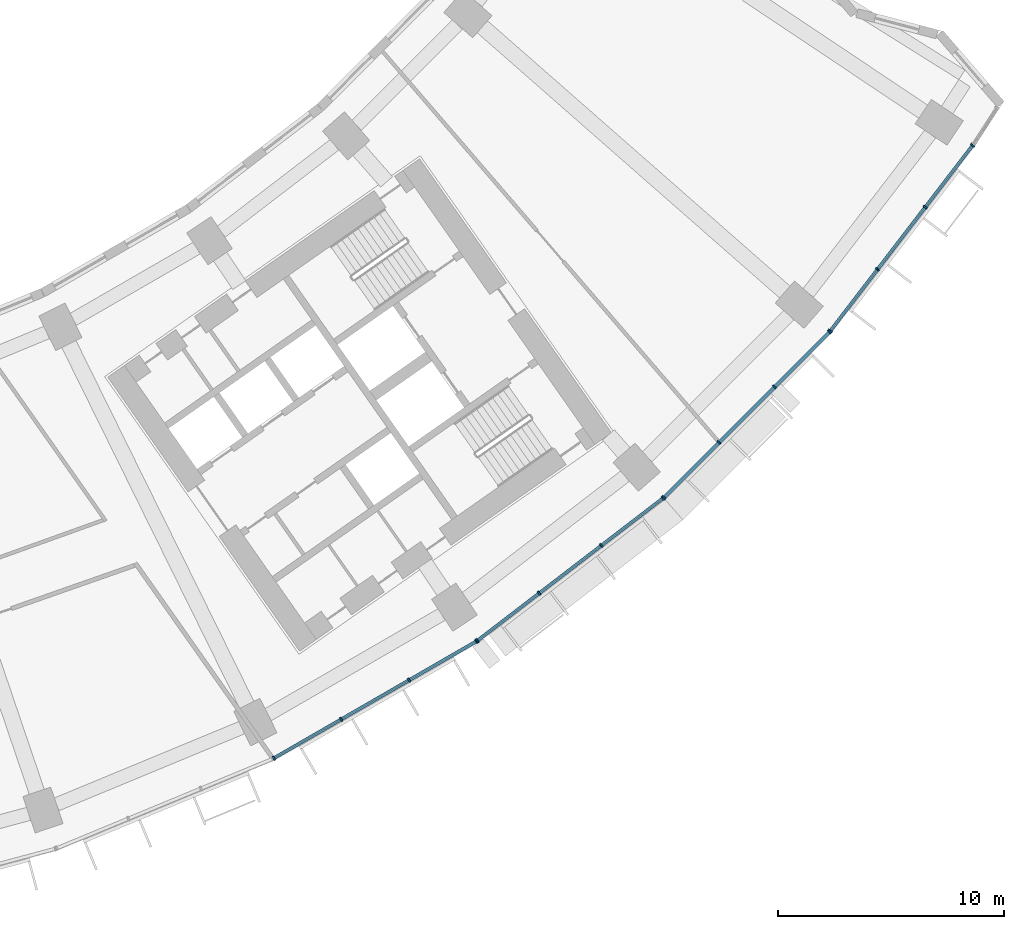
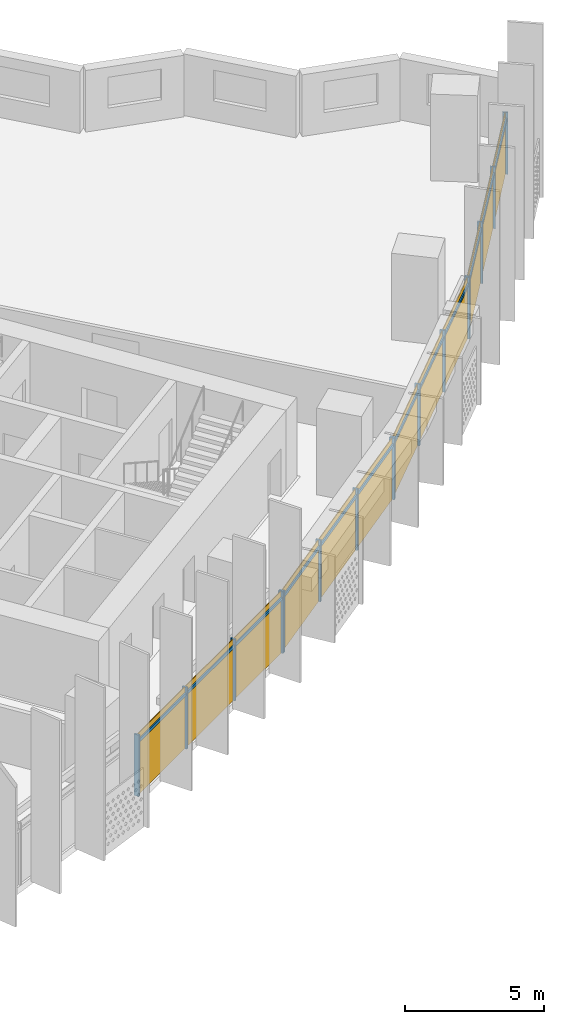
# One storey, part 22 of 31: 28 members, 4 curtain walls.
"""IFC4 building model written with IfcOpenShell, lengths in metres."""

import ifcopenshell
import ifcopenshell.guid

model = None  # the IFC model being written
_history = None  # IfcOwnerHistory: only IFC2X3 demands one
_inside = {}  # id of a spatial element -> (the spatial element, [elements in it])
_under = {}  # id of a project, library or spatial element -> (it, [spatial elements below it])
_declared = {}  # id of a project -> (the project, [libraries it declares])
_typed = {}  # id of a type object -> (the type object, [elements of that type])
_made_of = {}  # id of a material, layer set ... -> (it, [elements and type objects made of it])


def new_model(schema):
    """Start an empty IFC model of exactly this schema.

    Asked for "IFC4X3", IfcOpenShell would pick the latest addendum, in which some entities
    have other attributes; the version numbers below select the first issue.
    IFC2X3 requires an IfcOwnerHistory on every rooted entity: one is made here for all.
    """
    global model, _history
    if schema == "IFC4X3":
        model = ifcopenshell.file(schema_version=(4, 3, 0, 0))
    else:
        model = ifcopenshell.file(schema=schema)
    _inside.clear()
    _under.clear()
    _declared.clear()
    _typed.clear()
    _made_of.clear()
    _history = None
    if model.schema == "IFC2X3":
        org = make("IfcOrganization", Name="unknown")
        user = make(
            "IfcPersonAndOrganization",
            ThePerson=make("IfcPerson", FamilyName="unknown"),
            TheOrganization=org,
        )
        app = make(
            "IfcApplication",
            ApplicationDeveloper=org,
            Version="unknown",
            ApplicationFullName="unknown",
            ApplicationIdentifier="unknown",
        )
        _history = make(
            "IfcOwnerHistory",
            OwningUser=user,
            OwningApplication=app,
            ChangeAction="ADDED",
            CreationDate=0,
        )
    return model


def make(cls, **values):
    """One entity of the class cls with the attributes given. An attribute that is None is left unset."""
    return model.create_entity(
        cls, **{name: value for name, value in values.items() if value is not None}
    )


def rooted(cls, **values):
    """An entity with a GlobalId (a new one), such as an element, a storey or a relation."""
    return make(cls, GlobalId=ifcopenshell.guid.new(), OwnerHistory=_history, **values)


def si_unit(unit_type, name, prefix=None):
    """IfcSIUnit, for example si_unit("LENGTHUNIT", "METRE", prefix="MILLI")."""
    return make("IfcSIUnit", UnitType=unit_type, Prefix=prefix, Name=name)


def assignment(units):
    """IfcUnitAssignment: the units of a project."""
    return None if units is None else make("IfcUnitAssignment", Units=units)


def point(xyz):
    """IfcCartesianPoint."""
    return None if xyz is None else make("IfcCartesianPoint", Coordinates=xyz)


def direction(xyz):
    """IfcDirection."""
    return None if xyz is None else make("IfcDirection", DirectionRatios=xyz)


def frame(location, z_axis=None, x_axis=None):
    """IfcAxis2Placement3D, a coordinate frame: its origin and axes. An axis left out is left unset."""
    return make(
        "IfcAxis2Placement3D",
        Location=point(location),
        Axis=direction(z_axis),
        RefDirection=direction(x_axis),
    )


def frame_2d(location, x_axis=None):
    """IfcAxis2Placement2D, a coordinate frame in the plane: its origin and x axis."""
    return make(
        "IfcAxis2Placement2D", Location=point(location), RefDirection=direction(x_axis)
    )


def origin():
    """The frame at (0, 0, 0) with its axes left unset."""
    return frame((0.0, 0.0, 0.0))


def origin_2d():
    """The frame at (0, 0) in the plane with its x axis left unset."""
    return frame_2d((0.0, 0.0))


def place(relative_to, where):
    """IfcLocalPlacement: puts the frame where relative to a parent placement (None: the world)."""
    return make(
        "IfcLocalPlacement", PlacementRelTo=relative_to, RelativePlacement=where
    )


def context(
    kind, dimensions, precision=None, world=None, true_north=None, identifier=None
):
    """IfcGeometricRepresentationContext, for example the 3D "Model" context."""
    return make(
        "IfcGeometricRepresentationContext",
        ContextIdentifier=identifier,
        ContextType=kind,
        CoordinateSpaceDimension=dimensions,
        Precision=precision,
        WorldCoordinateSystem=world,
        TrueNorth=true_north,
    )


def subcontext(parent, identifier, kind, view, scale=None):
    """IfcGeometricRepresentationSubContext, for example "Body" below "Model"."""
    return make(
        "IfcGeometricRepresentationSubContext",
        ContextIdentifier=identifier,
        ContextType=kind,
        ParentContext=parent,
        TargetScale=scale,
        TargetView=view,
    )


def project(units=None, contexts=None):
    """IfcProject with its units and contexts."""
    return rooted(
        "IfcProject",
        Name="project",
        RepresentationContexts=contexts,
        UnitsInContext=assignment(units),
    )


def spatial(cls, under=None, at=None, **own):
    """A site, building, storey or space (cls), placed at a placement, below another one or the project."""
    s = rooted(cls, ObjectPlacement=at, **own)
    if under is not None:
        _under.setdefault(under.id(), (under, []))[1].append(s)
    return s


def profile(cls, at=None, kind="AREA", **sizes):
    """A parametric profile (cls). Its sizes go by their IFC names, for example OverallWidth=200.0."""
    return make(cls, ProfileType=kind, Position=at, **sizes)


def rectangle(**sizes):
    """IfcRectangleProfileDef."""
    return profile("IfcRectangleProfileDef", **sizes)


def extrude(swept, where, along, depth):
    """IfcExtrudedAreaSolid: the profile swept, set in the frame where, extruded along a direction by depth."""
    return make(
        "IfcExtrudedAreaSolid",
        SweptArea=swept,
        Position=where,
        ExtrudedDirection=direction(along),
        Depth=depth,
    )


def shape(context_of_items, identifier, shape_type, items):
    """IfcShapeRepresentation: the items that make up one representation, for example the "Body"."""
    return make(
        "IfcShapeRepresentation",
        ContextOfItems=context_of_items,
        RepresentationIdentifier=identifier,
        RepresentationType=shape_type,
        Items=items,
    )


def material(Name=None, Category=None):
    """IfcMaterial."""
    return make("IfcMaterial", Name=Name, Category=Category)


def material_profile(
    of_material, cross_section, Name=None, Category=None, Priority=None
):
    """IfcMaterialProfile: a cross section and its material."""
    return make(
        "IfcMaterialProfile",
        Name=Name,
        Material=of_material,
        Profile=cross_section,
        Priority=Priority,
        Category=Category,
    )


def profile_set(profiles, Name=None, composite=None):
    """IfcMaterialProfileSet."""
    return make(
        "IfcMaterialProfileSet",
        Name=Name,
        MaterialProfiles=profiles,
        CompositeProfile=composite,
    )


def made_of(thing, what):
    """Note that an element or type object is made of a material, layer set ...; save() writes the relation."""
    if what is not None:
        _made_of.setdefault(what.id(), (what, []))[1].append(thing)
    return thing


def type_object(cls, material=None, **own):
    """A type object (cls), such as IfcWallType, which elements share."""
    return made_of(rooted(cls, **own), material)


def element(
    cls,
    number,
    at=None,
    inside=None,
    cuts=None,
    type_object=None,
    material=None,
    context=None,
    identifier="Body",
    shape_type=None,
    held_by="IfcProductDefinitionShape",
    body=None,
    shapes=None,
    **own,
):
    """One element of the class cls, such as IfcWall. Its Tag is "e" and its number.

    at: its placement. inside: the storey or other place that contains it. cuts: it is an
    opening in that element (IfcRelVoidsElement). A single representation is given by context,
    identifier, shape_type and body (its items); several are given by shapes. held_by: the class
    of the entity that holds the representations. save() writes the other relations.
    """
    e = rooted(cls, Tag="e%d" % number, ObjectPlacement=at, **own)
    if body is not None:
        shapes = [shape(context, identifier, shape_type, body)]
    if shapes is not None:
        e.Representation = make(held_by, Representations=shapes)
    if inside is not None:
        _inside.setdefault(inside.id(), (inside, []))[1].append(e)
    if cuts is not None:
        rooted(
            "IfcRelVoidsElement", RelatingBuildingElement=cuts, RelatedOpeningElement=e
        )
    if type_object is not None:
        _typed.setdefault(type_object.id(), (type_object, []))[1].append(e)
    return made_of(e, material)


def aggregate(whole, parts):
    """IfcRelAggregates: a whole, such as a stair, and the parts it consists of."""
    return rooted("IfcRelAggregates", RelatingObject=whole, RelatedObjects=parts)


def save(model, path):
    """Write the relations noted so far, then the file.

    IfcRelAggregates (storeys below a building ...), IfcRelContainedInSpatialStructure (elements
    in a storey), IfcRelDefinesByType, IfcRelAssociatesMaterial and IfcRelDeclares: one each for
    every whole, place, type object, material and project.
    """
    for whole, parts in _under.values():
        aggregate(whole, parts)
    for where, things in _inside.values():
        rooted(
            "IfcRelContainedInSpatialStructure",
            RelatedElements=things,
            RelatingStructure=where,
        )
    for kind, things in _typed.values():
        rooted("IfcRelDefinesByType", RelatedObjects=things, RelatingType=kind)
    for what, things in _made_of.values():
        rooted("IfcRelAssociatesMaterial", RelatedObjects=things, RelatingMaterial=what)
    for by, libraries in _declared.values():
        rooted("IfcRelDeclares", RelatingContext=by, RelatedDefinitions=libraries)
    model.write(path)


model = new_model("IFC4")

# Units and contexts
model_context = context("Model", 3, precision=1e-05, world=origin(), true_north=direction((0.0, 1.0)))
body_context = subcontext(model_context, "Body", "Model", "MODEL_VIEW")
ifc_project = project(units=[si_unit("LENGTHUNIT", "METRE"), si_unit("AREAUNIT", "SQUARE_METRE"), si_unit("VOLUMEUNIT", "CUBIC_METRE"), si_unit("PLANEANGLEUNIT", "RADIAN"), si_unit("MASSUNIT", "GRAM", prefix="KILO")], contexts=[model_context])

# Member
ifc_material = material(Name="Aluminium 6063-T6 anodised", Category="aluminium")
ifc_material_profile_1 = material_profile(ifc_material, rectangle(XDim=0.199951171875, YDim=0.070068359375, at=origin_2d()))
ifc_profile_set_1 = profile_set([ifc_material_profile_1], Name="Aluminium 6063-T6 anodised")
member_type_1 = type_object("IfcMemberType", Name="Mullion 70 x 200 aluminium", PredefinedType="MULLION", material=ifc_profile_set_1)
site_placement = place(None, origin())
building_placement = place(site_placement, origin())
storey_placement = place(building_placement, frame((0.0, 0.0, 55.699951171875)))
member_1_placement = place(storey_placement, frame((35.20849609375, -71.331787109375, 0.0), z_axis=(0.0, 0.0, 1.0), x_axis=(-0.5, 0.866025403784, 0.0)))
member_1 = element("IfcMember", 1, at=member_1_placement, type_object=member_type_1, Name="e-cw1-L10-out12/M00", PredefinedType="MULLION", context=body_context, shape_type="SweptSolid", body=[
    extrude(rectangle(XDim=0.199951171875, YDim=0.070068359375, at=origin_2d()), origin(), (0.0, 0.0, 1.0), 2.699951171875),
])

member_2_placement = place(storey_placement, frame((38.18603515625, -69.61279296875, 0.0), z_axis=(0.0, 0.0, 1.0), x_axis=(-0.5, 0.866025403784, 0.0)))
member_2 = element("IfcMember", 2, at=member_2_placement, type_object=member_type_1, Name="e-cw1-L10-out12/M01", PredefinedType="MULLION", context=body_context, shape_type="SweptSolid", body=[
    extrude(rectangle(XDim=0.199951171875, YDim=0.070068359375, at=origin_2d()), origin(), (0.0, 0.0, 1.0), 2.699951171875),
])

member_3_placement = place(storey_placement, frame((41.193603515625, -67.87646484375, 0.0), z_axis=(0.0, 0.0, 1.0), x_axis=(-0.5, 0.866025403784, 0.0)))
member_3 = element("IfcMember", 3, at=member_3_placement, type_object=member_type_1, Name="e-cw1-L10-out12/M02", PredefinedType="MULLION", context=body_context, shape_type="SweptSolid", body=[
    extrude(rectangle(XDim=0.199951171875, YDim=0.070068359375, at=origin_2d()), origin(), (0.0, 0.0, 1.0), 2.699951171875),
])

member_4_placement = place(storey_placement, frame((44.1708984375, -66.157470703125, 0.0), z_axis=(0.0, 0.0, 1.0), x_axis=(-0.5, 0.866025403784, 0.0)))
member_4 = element("IfcMember", 4, at=member_4_placement, type_object=member_type_1, Name="e-cw1-L10-out12/M03", PredefinedType="MULLION", context=body_context, shape_type="SweptSolid", body=[
    extrude(rectangle(XDim=0.199951171875, YDim=0.070068359375, at=origin_2d()), origin(), (0.0, 0.0, 1.0), 2.699951171875),
])

member_5_placement = place(storey_placement, frame((44.218017578125, -66.1259765625, 0.0), z_axis=(0.0, 0.0, 1.0), x_axis=(-0.608761429009, 0.793353340291, 0.0)))
member_5 = element("IfcMember", 5, at=member_5_placement, type_object=member_type_1, Name="e-cw1-L10-out13/M00", PredefinedType="MULLION", context=body_context, shape_type="SweptSolid", body=[
    extrude(rectangle(XDim=0.199951171875, YDim=0.070068359375, at=origin_2d()), origin(), (0.0, 0.0, 1.0), 2.699951171875),
])

member_6_placement = place(storey_placement, frame((46.945556640625, -64.032958984375, 0.0), z_axis=(0.0, 0.0, 1.0), x_axis=(-0.608761429009, 0.793353340291, 0.0)))
member_6 = element("IfcMember", 6, at=member_6_placement, type_object=member_type_1, Name="e-cw1-L10-out13/M01", PredefinedType="MULLION", context=body_context, shape_type="SweptSolid", body=[
    extrude(rectangle(XDim=0.199951171875, YDim=0.070068359375, at=origin_2d()), origin(), (0.0, 0.0, 1.0), 2.699951171875),
])

member_7_placement = place(storey_placement, frame((49.70068359375, -61.9189453125, 0.0), z_axis=(0.0, 0.0, 1.0), x_axis=(-0.608761429009, 0.793353340291, 0.0)))
member_7 = element("IfcMember", 7, at=member_7_placement, type_object=member_type_1, Name="e-cw1-L10-out13/M02", PredefinedType="MULLION", context=body_context, shape_type="SweptSolid", body=[
    extrude(rectangle(XDim=0.199951171875, YDim=0.070068359375, at=origin_2d()), origin(), (0.0, 0.0, 1.0), 2.699951171875),
])

member_8_placement = place(storey_placement, frame((52.42822265625, -59.825927734375, 0.0), z_axis=(0.0, 0.0, 1.0), x_axis=(-0.608761429009, 0.793353340291, 0.0)))
member_8 = element("IfcMember", 8, at=member_8_placement, type_object=member_type_1, Name="e-cw1-L10-out13/M03", PredefinedType="MULLION", context=body_context, shape_type="SweptSolid", body=[
    extrude(rectangle(XDim=0.199951171875, YDim=0.070068359375, at=origin_2d()), origin(), (0.0, 0.0, 1.0), 2.699951171875),
])

member_9_placement = place(storey_placement, frame((52.470947265625, -59.78857421875, 0.0), z_axis=(0.0, 0.0, 1.0), x_axis=(-0.707106781187, 0.707106781187, 0.0)))
member_9 = element("IfcMember", 9, at=member_9_placement, type_object=member_type_1, Name="e-cw1-L10-out14/M00", PredefinedType="MULLION", context=body_context, shape_type="SweptSolid", body=[
    extrude(rectangle(XDim=0.199951171875, YDim=0.070068359375, at=origin_2d()), origin(), (0.0, 0.0, 1.0), 2.699951171875),
])

member_10_placement = place(storey_placement, frame((54.90185546875, -57.357666015625, 0.0), z_axis=(0.0, 0.0, 1.0), x_axis=(-0.707106781187, 0.707106781187, 0.0)))
member_10 = element("IfcMember", 10, at=member_10_placement, type_object=member_type_1, Name="e-cw1-L10-out14/M01", PredefinedType="MULLION", context=body_context, shape_type="SweptSolid", body=[
    extrude(rectangle(XDim=0.199951171875, YDim=0.070068359375, at=origin_2d()), origin(), (0.0, 0.0, 1.0), 2.699951171875),
])

member_11_placement = place(storey_placement, frame((57.357666015625, -54.90185546875, 0.0), z_axis=(0.0, 0.0, 1.0), x_axis=(-0.707106781187, 0.707106781187, 0.0)))
member_11 = element("IfcMember", 11, at=member_11_placement, type_object=member_type_1, Name="e-cw1-L10-out14/M02", PredefinedType="MULLION", context=body_context, shape_type="SweptSolid", body=[
    extrude(rectangle(XDim=0.199951171875, YDim=0.070068359375, at=origin_2d()), origin(), (0.0, 0.0, 1.0), 2.699951171875),
])

member_12_placement = place(storey_placement, frame((59.78857421875, -52.470947265625, 0.0), z_axis=(0.0, 0.0, 1.0), x_axis=(-0.707106781187, 0.707106781187, 0.0)))
member_12 = element("IfcMember", 12, at=member_12_placement, type_object=member_type_1, Name="e-cw1-L10-out14/M03", PredefinedType="MULLION", context=body_context, shape_type="SweptSolid", body=[
    extrude(rectangle(XDim=0.199951171875, YDim=0.070068359375, at=origin_2d()), origin(), (0.0, 0.0, 1.0), 2.699951171875),
])

member_13_placement = place(storey_placement, frame((59.825927734375, -52.42822265625, 0.0), z_axis=(0.0, 0.0, 1.0), x_axis=(-0.793353340291, 0.608761429009, 0.0)))
member_13 = element("IfcMember", 13, at=member_13_placement, type_object=member_type_1, Name="e-cw1-L10-out15/M00", PredefinedType="MULLION", context=body_context, shape_type="SweptSolid", body=[
    extrude(rectangle(XDim=0.199951171875, YDim=0.070068359375, at=origin_2d()), origin(), (0.0, 0.0, 1.0), 2.699951171875),
])

member_14_placement = place(storey_placement, frame((61.9189453125, -49.70068359375, 0.0), z_axis=(0.0, 0.0, 1.0), x_axis=(-0.793353340291, 0.608761429009, 0.0)))
member_14 = element("IfcMember", 14, at=member_14_placement, type_object=member_type_1, Name="e-cw1-L10-out15/M01", PredefinedType="MULLION", context=body_context, shape_type="SweptSolid", body=[
    extrude(rectangle(XDim=0.199951171875, YDim=0.070068359375, at=origin_2d()), origin(), (0.0, 0.0, 1.0), 2.699951171875),
])

member_15_placement = place(storey_placement, frame((64.032958984375, -46.945556640625, 0.0), z_axis=(0.0, 0.0, 1.0), x_axis=(-0.793353340291, 0.608761429009, 0.0)))
member_15 = element("IfcMember", 15, at=member_15_placement, type_object=member_type_1, Name="e-cw1-L10-out15/M02", PredefinedType="MULLION", context=body_context, shape_type="SweptSolid", body=[
    extrude(rectangle(XDim=0.199951171875, YDim=0.070068359375, at=origin_2d()), origin(), (0.0, 0.0, 1.0), 2.699951171875),
])

member_16_placement = place(storey_placement, frame((66.1259765625, -44.218017578125, 0.0), z_axis=(0.0, 0.0, 1.0), x_axis=(-0.793353340291, 0.608761429009, 0.0)))
member_16 = element("IfcMember", 16, at=member_16_placement, type_object=member_type_1, Name="e-cw1-L10-out15/M03", PredefinedType="MULLION", context=body_context, shape_type="SweptSolid", body=[
    extrude(rectangle(XDim=0.199951171875, YDim=0.070068359375, at=origin_2d()), origin(), (0.0, 0.0, 1.0), 2.699951171875),
])

ifc_material_profile_2 = material_profile(ifc_material, rectangle(XDim=0.139892578125, YDim=0.1201171875, at=origin_2d()))
ifc_profile_set_2 = profile_set([ifc_material_profile_2], Name="Aluminium 6063-T6 anodised")
member_type_2 = type_object("IfcMemberType", Name="Transom 120 x 140 aluminium", PredefinedType="USERDEFINED", material=ifc_profile_set_2)
member_17_placement = place(storey_placement, frame((35.239013671875, -71.314208984375, 2.400146484375), z_axis=(0.866026229868, 0.499998569178, 0.0), x_axis=(-0.499998569178, 0.866026229868, 0.0)))
member_17 = element("IfcMember", 17, at=member_17_placement, type_object=member_type_2, Name="e-cw1-L10-out12/T00", ObjectType="TRANSOM", PredefinedType="USERDEFINED", context=body_context, shape_type="SweptSolid", body=[
    extrude(rectangle(XDim=0.139892578125, YDim=0.1201171875, at=origin_2d()), origin(), (0.0, 0.0, 1.0), 3.36767578125),
])

member_18_placement = place(storey_placement, frame((38.21630859375, -69.595458984375, 2.400146484375), z_axis=(0.866000398227, 0.500043308395, 0.0), x_axis=(-0.500043308395, 0.866000398227, 0.0)))
member_18 = element("IfcMember", 18, at=member_18_placement, type_object=member_type_2, Name="e-cw1-L10-out12/T01", ObjectType="TRANSOM", PredefinedType="USERDEFINED", context=body_context, shape_type="SweptSolid", body=[
    extrude(rectangle(XDim=0.139892578125, YDim=0.1201171875, at=origin_2d()), origin(), (0.0, 0.0, 1.0), 3.403076171875),
])

member_19_placement = place(storey_placement, frame((41.223876953125, -67.85888671875, 2.400146484375), z_axis=(0.866044351828, 0.49996717959, 0.0), x_axis=(-0.49996717959, 0.866044351828, 0.0)))
member_19 = element("IfcMember", 19, at=member_19_placement, type_object=member_type_2, Name="e-cw1-L10-out12/T02", ObjectType="TRANSOM", PredefinedType="USERDEFINED", context=body_context, shape_type="SweptSolid", body=[
    extrude(rectangle(XDim=0.139892578125, YDim=0.1201171875, at=origin_2d()), origin(), (0.0, 0.0, 1.0), 3.367919921875),
])

member_20_placement = place(storey_placement, frame((44.245849609375, -66.1044921875, 2.400146484375), z_axis=(0.793375276742, 0.608732839803, 0.0), x_axis=(-0.608732839803, 0.793375276742, 0.0)))
member_20 = element("IfcMember", 20, at=member_20_placement, type_object=member_type_2, Name="e-cw1-L10-out13/T00", ObjectType="TRANSOM", PredefinedType="USERDEFINED", context=body_context, shape_type="SweptSolid", body=[
    extrude(rectangle(XDim=0.139892578125, YDim=0.1201171875, at=origin_2d()), origin(), (0.0, 0.0, 1.0), 3.36767578125),
])

member_21_placement = place(storey_placement, frame((46.973388671875, -64.01171875, 2.400146484375), z_axis=(0.793356868815, 0.60875683052, 0.0), x_axis=(-0.60875683052, 0.793356868815, 0.0)))
member_21 = element("IfcMember", 21, at=member_21_placement, type_object=member_type_2, Name="e-cw1-L10-out13/T01", ObjectType="TRANSOM", PredefinedType="USERDEFINED", context=body_context, shape_type="SweptSolid", body=[
    extrude(rectangle(XDim=0.139892578125, YDim=0.1201171875, at=origin_2d()), origin(), (0.0, 0.0, 1.0), 3.40283203125),
])

member_22_placement = place(storey_placement, frame((49.728515625, -61.8974609375, 2.400146484375), z_axis=(0.793375276742, 0.608732839803, 0.0), x_axis=(-0.608732839803, 0.793375276742, 0.0)))
member_22 = element("IfcMember", 22, at=member_22_placement, type_object=member_type_2, Name="e-cw1-L10-out13/T02", ObjectType="TRANSOM", PredefinedType="USERDEFINED", context=body_context, shape_type="SweptSolid", body=[
    extrude(rectangle(XDim=0.139892578125, YDim=0.1201171875, at=origin_2d()), origin(), (0.0, 0.0, 1.0), 3.36767578125),
])

member_23_placement = place(storey_placement, frame((52.49560546875, -59.763916015625, 2.400146484375), z_axis=(0.707106781187, 0.707106781187, 0.0), x_axis=(-0.707106781187, 0.707106781187, 0.0)))
member_23 = element("IfcMember", 23, at=member_23_placement, type_object=member_type_2, Name="e-cw1-L10-out14/T00", ObjectType="TRANSOM", PredefinedType="USERDEFINED", context=body_context, shape_type="SweptSolid", body=[
    extrude(rectangle(XDim=0.139892578125, YDim=0.1201171875, at=origin_2d()), origin(), (0.0, 0.0, 1.0), 3.3681640625),
])

member_24_placement = place(storey_placement, frame((54.9267578125, -57.332763671875, 2.400146484375), z_axis=(0.707106781187, 0.707106781187, 0.0), x_axis=(-0.707106781187, 0.707106781187, 0.0)))
member_24 = element("IfcMember", 24, at=member_24_placement, type_object=member_type_2, Name="e-cw1-L10-out14/T01", ObjectType="TRANSOM", PredefinedType="USERDEFINED", context=body_context, shape_type="SweptSolid", body=[
    extrude(rectangle(XDim=0.139892578125, YDim=0.1201171875, at=origin_2d()), origin(), (0.0, 0.0, 1.0), 3.402587890625),
])

member_25_placement = place(storey_placement, frame((57.38232421875, -54.877197265625, 2.400146484375), z_axis=(0.707106781187, 0.707106781187, 0.0), x_axis=(-0.707106781187, 0.707106781187, 0.0)))
member_25 = element("IfcMember", 25, at=member_25_placement, type_object=member_type_2, Name="e-cw1-L10-out14/T02", ObjectType="TRANSOM", PredefinedType="USERDEFINED", context=body_context, shape_type="SweptSolid", body=[
    extrude(rectangle(XDim=0.139892578125, YDim=0.1201171875, at=origin_2d()), origin(), (0.0, 0.0, 1.0), 3.3681640625),
])

member_26_placement = place(storey_placement, frame((59.847412109375, -52.400390625, 2.400146484375), z_axis=(0.608732839803, 0.793375276742, 0.0), x_axis=(-0.793375276742, 0.608732839803, 0.0)))
member_26 = element("IfcMember", 26, at=member_26_placement, type_object=member_type_2, Name="e-cw1-L10-out15/T00", ObjectType="TRANSOM", PredefinedType="USERDEFINED", context=body_context, shape_type="SweptSolid", body=[
    extrude(rectangle(XDim=0.139892578125, YDim=0.1201171875, at=origin_2d()), origin(), (0.0, 0.0, 1.0), 3.36767578125),
])

member_27_placement = place(storey_placement, frame((61.940185546875, -49.673095703125, 2.400146484375), z_axis=(0.60875683052, 0.793356868815, 0.0), x_axis=(-0.793356868815, 0.60875683052, 0.0)))
member_27 = element("IfcMember", 27, at=member_27_placement, type_object=member_type_2, Name="e-cw1-L10-out15/T01", ObjectType="TRANSOM", PredefinedType="USERDEFINED", context=body_context, shape_type="SweptSolid", body=[
    extrude(rectangle(XDim=0.139892578125, YDim=0.1201171875, at=origin_2d()), origin(), (0.0, 0.0, 1.0), 3.40283203125),
])

member_28_placement = place(storey_placement, frame((64.054443359375, -46.917724609375, 2.400146484375), z_axis=(0.608732839803, 0.793375276742, 0.0), x_axis=(-0.793375276742, 0.608732839803, 0.0)))
member_28 = element("IfcMember", 28, at=member_28_placement, type_object=member_type_2, Name="e-cw1-L10-out15/T02", ObjectType="TRANSOM", PredefinedType="USERDEFINED", context=body_context, shape_type="SweptSolid", body=[
    extrude(rectangle(XDim=0.139892578125, YDim=0.1201171875, at=origin_2d()), origin(), (0.0, 0.0, 1.0), 3.36767578125),
])

# Site, building, storey
site = spatial("IfcSite", under=ifc_project, at=site_placement, CompositionType="ELEMENT")
building = spatial("IfcBuilding", under=site, at=building_placement, Name="Qamariyya Broadcast Tower", CompositionType="ELEMENT")
storey = spatial("IfcBuildingStorey", under=building, at=storey_placement, Name="L10", CompositionType="ELEMENT", Elevation=55.699951171875)

# Curtain wall
curtain_wall_type = type_object("IfcCurtainWallType", Name="Unitised curtain wall, anodised aluminium", PredefinedType="NOTDEFINED", material=ifc_material)
curtain_wall_1_placement = place(storey_placement, origin())
curtain_wall_1 = element("IfcCurtainWall", 29, at=curtain_wall_1_placement, inside=storey, type_object=curtain_wall_type, Name="e-cw1-L10-out12", PredefinedType="NOTDEFINED", context=body_context, shape_type="SweptSolid", body=[
    extrude(rectangle(XDim=3.367919921875, YDim=0.031982421875, at=origin_2d()), frame((36.697265625, -70.472412109375, 0.0), x_axis=(0.86602247392, 0.500005074639, 0.0)), (0.0, 0.0, 1.0), 2.340087890625),
    extrude(rectangle(XDim=3.367919921875, YDim=0.031982421875, at=origin_2d()), frame((36.697265625, -70.472412109375, 2.4599609375), x_axis=(0.86602247392, 0.500005074639, 0.0)), (0.0, 0.0, 1.0), 0.239990234375),
    extrude(rectangle(XDim=3.40283203125, YDim=0.031982421875, at=origin_2d()), frame((39.689697265625, -68.74462890625, 0.0), x_axis=(0.86602247392, 0.500005074639, 0.0)), (0.0, 0.0, 1.0), 2.340087890625),
    extrude(rectangle(XDim=3.40283203125, YDim=0.031982421875, at=origin_2d()), frame((39.689697265625, -68.74462890625, 2.4599609375), x_axis=(0.86602247392, 0.500005074639, 0.0)), (0.0, 0.0, 1.0), 0.239990234375),
    extrude(rectangle(XDim=3.367919921875, YDim=0.031982421875, at=origin_2d()), frame((42.68212890625, -67.016845703125, 0.0), x_axis=(0.86602247392, 0.500005074639, 0.0)), (0.0, 0.0, 1.0), 2.340087890625),
    extrude(rectangle(XDim=3.367919921875, YDim=0.031982421875, at=origin_2d()), frame((42.68212890625, -67.016845703125, 2.4599609375), x_axis=(0.86602247392, 0.500005074639, 0.0)), (0.0, 0.0, 1.0), 0.239990234375),
])

aggregate(curtain_wall_1, [member_1, member_2, member_3, member_4, member_17, member_18, member_19])

curtain_wall_2_placement = place(storey_placement, origin())
curtain_wall_2 = element("IfcCurtainWall", 30, at=curtain_wall_2_placement, inside=storey, type_object=curtain_wall_type, Name="e-cw1-L10-out13", PredefinedType="NOTDEFINED", context=body_context, shape_type="SweptSolid", body=[
    extrude(rectangle(XDim=3.367919921875, YDim=0.031982421875, at=origin_2d()), frame((45.581787109375, -65.07958984375, 0.0), x_axis=(0.79335775203, 0.608755679475, 0.0)), (0.0, 0.0, 1.0), 2.340087890625),
    extrude(rectangle(XDim=3.367919921875, YDim=0.031982421875, at=origin_2d()), frame((45.581787109375, -65.07958984375, 2.4599609375), x_axis=(0.79335775203, 0.608755679475, 0.0)), (0.0, 0.0, 1.0), 0.239990234375),
    extrude(rectangle(XDim=3.40283203125, YDim=0.031982421875, at=origin_2d()), frame((48.3232421875, -62.97607421875, 0.0), x_axis=(0.79335775203, 0.608755679475, 0.0)), (0.0, 0.0, 1.0), 2.340087890625),
    extrude(rectangle(XDim=3.40283203125, YDim=0.031982421875, at=origin_2d()), frame((48.3232421875, -62.97607421875, 2.4599609375), x_axis=(0.79335775203, 0.608755679475, 0.0)), (0.0, 0.0, 1.0), 0.239990234375),
    extrude(rectangle(XDim=3.367919921875, YDim=0.031982421875, at=origin_2d()), frame((51.064453125, -60.872314453125, 0.0), x_axis=(0.79335775203, 0.608755679475, 0.0)), (0.0, 0.0, 1.0), 2.340087890625),
    extrude(rectangle(XDim=3.367919921875, YDim=0.031982421875, at=origin_2d()), frame((51.064453125, -60.872314453125, 2.4599609375), x_axis=(0.79335775203, 0.608755679475, 0.0)), (0.0, 0.0, 1.0), 0.239990234375),
])

aggregate(curtain_wall_2, [member_5, member_6, member_7, member_8, member_20, member_21, member_22])

curtain_wall_3_placement = place(storey_placement, origin())
curtain_wall_3 = element("IfcCurtainWall", 31, at=curtain_wall_3_placement, inside=storey, type_object=curtain_wall_type, Name="e-cw1-L10-out14", PredefinedType="NOTDEFINED", context=body_context, shape_type="SweptSolid", body=[
    extrude(rectangle(XDim=3.367919921875, YDim=0.031982421875, at=origin_2d()), frame((53.6865234375, -58.572998046875, 0.0), x_axis=(0.707106781187, 0.707106781187, 0.0)), (0.0, 0.0, 1.0), 2.340087890625),
    extrude(rectangle(XDim=3.367919921875, YDim=0.031982421875, at=origin_2d()), frame((53.6865234375, -58.572998046875, 2.4599609375), x_axis=(0.707106781187, 0.707106781187, 0.0)), (0.0, 0.0, 1.0), 0.239990234375),
    extrude(rectangle(XDim=3.40283203125, YDim=0.031982421875, at=origin_2d()), frame((56.1298828125, -56.1298828125, 0.0), x_axis=(0.707106781187, 0.707106781187, 0.0)), (0.0, 0.0, 1.0), 2.340087890625),
    extrude(rectangle(XDim=3.40283203125, YDim=0.031982421875, at=origin_2d()), frame((56.1298828125, -56.1298828125, 2.4599609375), x_axis=(0.707106781187, 0.707106781187, 0.0)), (0.0, 0.0, 1.0), 0.239990234375),
    extrude(rectangle(XDim=3.367919921875, YDim=0.031982421875, at=origin_2d()), frame((58.572998046875, -53.6865234375, 0.0), x_axis=(0.707106781187, 0.707106781187, 0.0)), (0.0, 0.0, 1.0), 2.340087890625),
    extrude(rectangle(XDim=3.367919921875, YDim=0.031982421875, at=origin_2d()), frame((58.572998046875, -53.6865234375, 2.4599609375), x_axis=(0.707106781187, 0.707106781187, 0.0)), (0.0, 0.0, 1.0), 0.239990234375),
])

aggregate(curtain_wall_3, [member_9, member_10, member_11, member_12, member_23, member_24, member_25])

curtain_wall_4_placement = place(storey_placement, origin())
curtain_wall_4 = element("IfcCurtainWall", 32, at=curtain_wall_4_placement, inside=storey, type_object=curtain_wall_type, Name="e-cw1-L10-out15", PredefinedType="NOTDEFINED", context=body_context, shape_type="SweptSolid", body=[
    extrude(rectangle(XDim=3.367919921875, YDim=0.031982421875, at=origin_2d()), frame((60.872314453125, -51.064453125, 0.0), x_axis=(0.608755679475, 0.79335775203, 0.0)), (0.0, 0.0, 1.0), 2.340087890625),
    extrude(rectangle(XDim=3.367919921875, YDim=0.031982421875, at=origin_2d()), frame((60.872314453125, -51.064453125, 2.4599609375), x_axis=(0.608755679475, 0.79335775203, 0.0)), (0.0, 0.0, 1.0), 0.239990234375),
    extrude(rectangle(XDim=3.40283203125, YDim=0.031982421875, at=origin_2d()), frame((62.97607421875, -48.3232421875, 0.0), x_axis=(0.608755679475, 0.79335775203, 0.0)), (0.0, 0.0, 1.0), 2.340087890625),
    extrude(rectangle(XDim=3.40283203125, YDim=0.031982421875, at=origin_2d()), frame((62.97607421875, -48.3232421875, 2.4599609375), x_axis=(0.608755679475, 0.79335775203, 0.0)), (0.0, 0.0, 1.0), 0.239990234375),
    extrude(rectangle(XDim=3.367919921875, YDim=0.031982421875, at=origin_2d()), frame((65.07958984375, -45.581787109375, 0.0), x_axis=(0.608755679475, 0.79335775203, 0.0)), (0.0, 0.0, 1.0), 2.340087890625),
    extrude(rectangle(XDim=3.367919921875, YDim=0.031982421875, at=origin_2d()), frame((65.07958984375, -45.581787109375, 2.4599609375), x_axis=(0.608755679475, 0.79335775203, 0.0)), (0.0, 0.0, 1.0), 0.239990234375),
])

aggregate(curtain_wall_4, [member_13, member_14, member_15, member_16, member_26, member_27, member_28])

save(model, "model.ifc")
